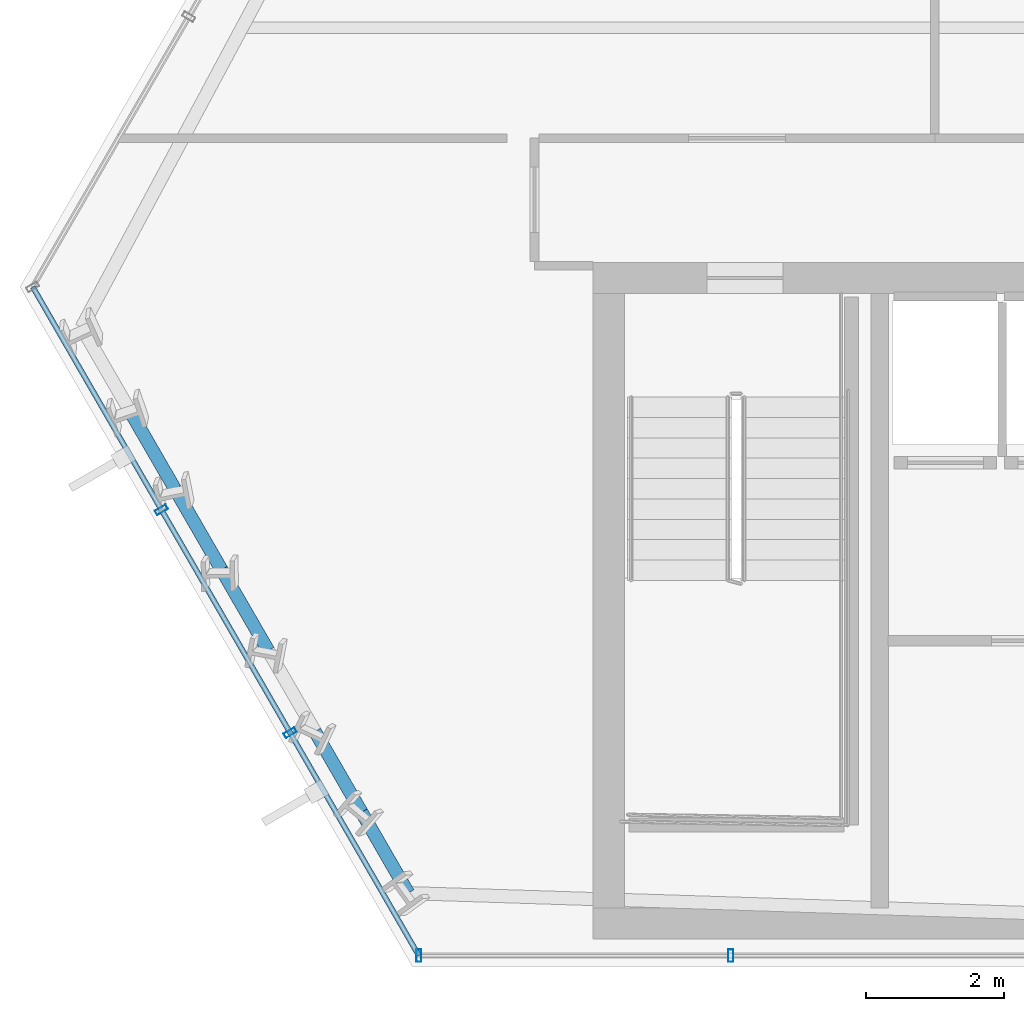
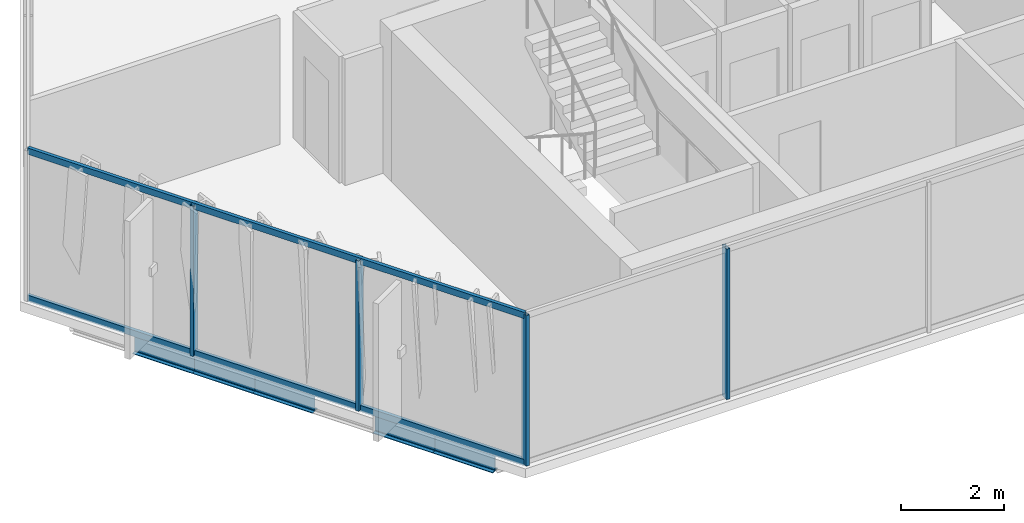
# One storey, part 2 of 32: 6 members, 5 beams, 2 elements without a shape of their own.
"""IFC4 building model written with IfcOpenShell, lengths in metres."""

import ifcopenshell
import ifcopenshell.guid

model = None  # the IFC model being written
_history = None  # IfcOwnerHistory: only IFC2X3 demands one
_inside = {}  # id of a spatial element -> (the spatial element, [elements in it])
_under = {}  # id of a project, library or spatial element -> (it, [spatial elements below it])
_declared = {}  # id of a project -> (the project, [libraries it declares])
_typed = {}  # id of a type object -> (the type object, [elements of that type])
_made_of = {}  # id of a material, layer set ... -> (it, [elements and type objects made of it])


def new_model(schema):
    """Start an empty IFC model of exactly this schema.

    Asked for "IFC4X3", IfcOpenShell would pick the latest addendum, in which some entities
    have other attributes; the version numbers below select the first issue.
    IFC2X3 requires an IfcOwnerHistory on every rooted entity: one is made here for all.
    """
    global model, _history
    if schema == "IFC4X3":
        model = ifcopenshell.file(schema_version=(4, 3, 0, 0))
    else:
        model = ifcopenshell.file(schema=schema)
    _inside.clear()
    _under.clear()
    _declared.clear()
    _typed.clear()
    _made_of.clear()
    _history = None
    if model.schema == "IFC2X3":
        org = make("IfcOrganization", Name="unknown")
        user = make(
            "IfcPersonAndOrganization",
            ThePerson=make("IfcPerson", FamilyName="unknown"),
            TheOrganization=org,
        )
        app = make(
            "IfcApplication",
            ApplicationDeveloper=org,
            Version="unknown",
            ApplicationFullName="unknown",
            ApplicationIdentifier="unknown",
        )
        _history = make(
            "IfcOwnerHistory",
            OwningUser=user,
            OwningApplication=app,
            ChangeAction="ADDED",
            CreationDate=0,
        )
    return model


def make(cls, **values):
    """One entity of the class cls with the attributes given. An attribute that is None is left unset."""
    return model.create_entity(
        cls, **{name: value for name, value in values.items() if value is not None}
    )


def rooted(cls, **values):
    """An entity with a GlobalId (a new one), such as an element, a storey or a relation."""
    return make(cls, GlobalId=ifcopenshell.guid.new(), OwnerHistory=_history, **values)


def si_unit(unit_type, name, prefix=None):
    """IfcSIUnit, for example si_unit("LENGTHUNIT", "METRE", prefix="MILLI")."""
    return make("IfcSIUnit", UnitType=unit_type, Prefix=prefix, Name=name)


def assignment(units):
    """IfcUnitAssignment: the units of a project."""
    return None if units is None else make("IfcUnitAssignment", Units=units)


def point(xyz):
    """IfcCartesianPoint."""
    return None if xyz is None else make("IfcCartesianPoint", Coordinates=xyz)


def direction(xyz):
    """IfcDirection."""
    return None if xyz is None else make("IfcDirection", DirectionRatios=xyz)


def frame(location, z_axis=None, x_axis=None):
    """IfcAxis2Placement3D, a coordinate frame: its origin and axes. An axis left out is left unset."""
    return make(
        "IfcAxis2Placement3D",
        Location=point(location),
        Axis=direction(z_axis),
        RefDirection=direction(x_axis),
    )


def frame_2d(location, x_axis=None):
    """IfcAxis2Placement2D, a coordinate frame in the plane: its origin and x axis."""
    return make(
        "IfcAxis2Placement2D", Location=point(location), RefDirection=direction(x_axis)
    )


def origin():
    """The frame at (0, 0, 0) with its axes left unset."""
    return frame((0.0, 0.0, 0.0))


def origin_2d():
    """The frame at (0, 0) in the plane with its x axis left unset."""
    return frame_2d((0.0, 0.0))


def place(relative_to, where):
    """IfcLocalPlacement: puts the frame where relative to a parent placement (None: the world)."""
    return make(
        "IfcLocalPlacement", PlacementRelTo=relative_to, RelativePlacement=where
    )


def context(
    kind, dimensions, precision=None, world=None, true_north=None, identifier=None
):
    """IfcGeometricRepresentationContext, for example the 3D "Model" context."""
    return make(
        "IfcGeometricRepresentationContext",
        ContextIdentifier=identifier,
        ContextType=kind,
        CoordinateSpaceDimension=dimensions,
        Precision=precision,
        WorldCoordinateSystem=world,
        TrueNorth=true_north,
    )


def subcontext(parent, identifier, kind, view, scale=None):
    """IfcGeometricRepresentationSubContext, for example "Body" below "Model"."""
    return make(
        "IfcGeometricRepresentationSubContext",
        ContextIdentifier=identifier,
        ContextType=kind,
        ParentContext=parent,
        TargetScale=scale,
        TargetView=view,
    )


def project(units=None, contexts=None):
    """IfcProject with its units and contexts."""
    return rooted(
        "IfcProject",
        Name="project",
        RepresentationContexts=contexts,
        UnitsInContext=assignment(units),
    )


def spatial(cls, under=None, at=None, **own):
    """A site, building, storey or space (cls), placed at a placement, below another one or the project."""
    s = rooted(cls, ObjectPlacement=at, **own)
    if under is not None:
        _under.setdefault(under.id(), (under, []))[1].append(s)
    return s


def profile(cls, at=None, kind="AREA", **sizes):
    """A parametric profile (cls). Its sizes go by their IFC names, for example OverallWidth=200.0."""
    return make(cls, ProfileType=kind, Position=at, **sizes)


def hollow_rectangle(**sizes):
    """IfcRectangleHollowProfileDef."""
    return profile("IfcRectangleHollowProfileDef", **sizes)


def i_section(**sizes):
    """IfcIShapeProfileDef."""
    return profile("IfcIShapeProfileDef", **sizes)


def extrude(swept, where, along, depth):
    """IfcExtrudedAreaSolid: the profile swept, set in the frame where, extruded along a direction by depth."""
    return make(
        "IfcExtrudedAreaSolid",
        SweptArea=swept,
        Position=where,
        ExtrudedDirection=direction(along),
        Depth=depth,
    )


def shape(context_of_items, identifier, shape_type, items):
    """IfcShapeRepresentation: the items that make up one representation, for example the "Body"."""
    return make(
        "IfcShapeRepresentation",
        ContextOfItems=context_of_items,
        RepresentationIdentifier=identifier,
        RepresentationType=shape_type,
        Items=items,
    )


def material(Name=None, Category=None):
    """IfcMaterial."""
    return make("IfcMaterial", Name=Name, Category=Category)


def layer(
    of_material, thickness, ventilated=None, Name=None, Category=None, Priority=None
):
    """IfcMaterialLayer: one layer of a wall or slab, of a material (None: an air gap)."""
    return make(
        "IfcMaterialLayer",
        Material=of_material,
        LayerThickness=thickness,
        IsVentilated=ventilated,
        Name=Name,
        Category=Category,
        Priority=Priority,
    )


def layer_set(layers, Name=None):
    """IfcMaterialLayerSet."""
    return make("IfcMaterialLayerSet", MaterialLayers=layers, LayerSetName=Name)


def material_profile(
    of_material, cross_section, Name=None, Category=None, Priority=None
):
    """IfcMaterialProfile: a cross section and its material."""
    return make(
        "IfcMaterialProfile",
        Name=Name,
        Material=of_material,
        Profile=cross_section,
        Priority=Priority,
        Category=Category,
    )


def profile_set(profiles, Name=None, composite=None):
    """IfcMaterialProfileSet."""
    return make(
        "IfcMaterialProfileSet",
        Name=Name,
        MaterialProfiles=profiles,
        CompositeProfile=composite,
    )


def made_of(thing, what):
    """Note that an element or type object is made of a material, layer set ...; save() writes the relation."""
    if what is not None:
        _made_of.setdefault(what.id(), (what, []))[1].append(thing)
    return thing


def type_object(cls, material=None, **own):
    """A type object (cls), such as IfcWallType, which elements share."""
    return made_of(rooted(cls, **own), material)


def element(
    cls,
    number,
    at=None,
    inside=None,
    cuts=None,
    type_object=None,
    material=None,
    context=None,
    identifier="Body",
    shape_type=None,
    held_by="IfcProductDefinitionShape",
    body=None,
    shapes=None,
    **own,
):
    """One element of the class cls, such as IfcWall. Its Tag is "e" and its number.

    at: its placement. inside: the storey or other place that contains it. cuts: it is an
    opening in that element (IfcRelVoidsElement). A single representation is given by context,
    identifier, shape_type and body (its items); several are given by shapes. held_by: the class
    of the entity that holds the representations. save() writes the other relations.
    """
    e = rooted(cls, Tag="e%d" % number, ObjectPlacement=at, **own)
    if body is not None:
        shapes = [shape(context, identifier, shape_type, body)]
    if shapes is not None:
        e.Representation = make(held_by, Representations=shapes)
    if inside is not None:
        _inside.setdefault(inside.id(), (inside, []))[1].append(e)
    if cuts is not None:
        rooted(
            "IfcRelVoidsElement", RelatingBuildingElement=cuts, RelatedOpeningElement=e
        )
    if type_object is not None:
        _typed.setdefault(type_object.id(), (type_object, []))[1].append(e)
    return made_of(e, material)


def aggregate(whole, parts):
    """IfcRelAggregates: a whole, such as a stair, and the parts it consists of."""
    return rooted("IfcRelAggregates", RelatingObject=whole, RelatedObjects=parts)


def save(model, path):
    """Write the relations noted so far, then the file.

    IfcRelAggregates (storeys below a building ...), IfcRelContainedInSpatialStructure (elements
    in a storey), IfcRelDefinesByType, IfcRelAssociatesMaterial and IfcRelDeclares: one each for
    every whole, place, type object, material and project.
    """
    for whole, parts in _under.values():
        aggregate(whole, parts)
    for where, things in _inside.values():
        rooted(
            "IfcRelContainedInSpatialStructure",
            RelatedElements=things,
            RelatingStructure=where,
        )
    for kind, things in _typed.values():
        rooted("IfcRelDefinesByType", RelatedObjects=things, RelatingType=kind)
    for what, things in _made_of.values():
        rooted("IfcRelAssociatesMaterial", RelatedObjects=things, RelatingMaterial=what)
    for by, libraries in _declared.values():
        rooted("IfcRelDeclares", RelatingContext=by, RelatedDefinitions=libraries)
    model.write(path)


model = new_model("IFC4")

# Units and contexts
model_context = context("Model", 3, precision=1e-05, world=origin(), true_north=direction((0.0, 1.0)))
body_context = subcontext(model_context, "Body", "Model", "MODEL_VIEW")
ifc_project = project(units=[si_unit("LENGTHUNIT", "METRE"), si_unit("AREAUNIT", "SQUARE_METRE"), si_unit("VOLUMEUNIT", "CUBIC_METRE"), si_unit("PLANEANGLEUNIT", "RADIAN"), si_unit("MASSUNIT", "GRAM", prefix="KILO")], contexts=[model_context])

# Site, building, storey
site_placement = place(None, origin())
site = spatial("IfcSite", under=ifc_project, at=site_placement, CompositionType="ELEMENT")
building_placement = place(site_placement, origin())
building = spatial("IfcBuilding", under=site, at=building_placement, Name="Ndaravel Arena Tower", CompositionType="ELEMENT")
storey_placement = place(building_placement, frame((0.0, 0.0, 157.39990234375)))
storey = spatial("IfcBuildingStorey", under=building, at=storey_placement, Name="L37", CompositionType="ELEMENT", Elevation=157.39990234375)

# Beams
ifc_material_1 = material(Name="Steel S355", Category="steel")
ifc_material_profile_1 = material_profile(ifc_material_1, i_section(OverallWidth=0.18994140625, OverallDepth=0.449951171875, WebThickness=0.009521484375, FlangeThickness=0.0146484375, FilletRadius=0.02099609375, at=origin_2d()), Name="IPE 450")
ifc_profile_set_1 = profile_set([ifc_material_profile_1], Name="Steel S355")
beam_type = type_object("IfcBeamType", Name="BM-SPAN-IPE450", PredefinedType="SPANDREL", material=ifc_profile_set_1)
for number, where, z_axis, x_axis, name in (
    (1, (19.715576171875, 13.08935546875, -0.44482421875), (0.500082007311, -0.865978051664, 0.0), (0.865978051664, 0.500082007311, 0.0), "L37 Perimeter Spandrel Beam SP-21"),
    (2, (20.3916015625, 11.918701171875, -0.44482421875), (0.49994655361, -0.866056258873, 0.0), (0.866056258873, 0.49994655361, 0.0), "L37 Perimeter Spandrel Beam SP-22"),
    (3, (21.0673828125, 10.748046875, -0.44482421875), (0.500082007311, -0.865978051664, 0.0), (0.865978051664, 0.500082007311, 0.0), "L37 Perimeter Spandrel Beam SP-23"),
    (4, (22.419189453125, 8.40673828125, -0.44482421875), (0.500082007311, -0.865978051664, 0.0), (0.865978051664, 0.500082007311, 0.0), "L37 Perimeter Spandrel Beam SP-25"),
    (5, (23.09521484375, 7.236083984375, -0.44482421875), (0.499868360126, -0.866101392762, 0.0), (0.866101392762, 0.499868360126, 0.0), "L37 Perimeter Spandrel Beam SP-26"),
):
    element("IfcBeam", number, at=place(storey_placement, frame(where, z_axis=z_axis, x_axis=x_axis)), inside=storey, type_object=beam_type, Name=name, PredefinedType="SPANDREL", context=body_context, shape_type="SweptSolid", body=[
        extrude(i_section(OverallWidth=0.18994140625, OverallDepth=0.449951171875, WebThickness=0.009521484375, FlangeThickness=0.0146484375, FilletRadius=0.02099609375, at=origin_2d()), origin(), (0.0, 0.0, 1.0), 1.351806640625),
    ])

# Curtain wall, members
ifc_material_2 = material(Name="Aluminium", Category="aluminium")
ifc_layer_1 = layer(ifc_material_2, 0.179931640625)
ifc_layer_set_1 = layer_set([ifc_layer_1], Name="Aluminium")
curtain_wall_type_1 = type_object("IfcCurtainWallType", Name="CW-SYS-03", PredefinedType="NOTDEFINED", material=ifc_layer_set_1)
curtain_wall_1_placement = place(storey_placement, origin())
curtain_wall_1 = element("IfcCurtainWall", 6, at=curtain_wall_1_placement, inside=storey, type_object=curtain_wall_type_1, Name="L37 Faceted Crystal Curtain Wall CW-L37-E01", PredefinedType="NOTDEFINED")
ifc_material_3 = material(Name="Aluminium", Category="aluminium")
ifc_material_profile_2 = material_profile(ifc_material_3, hollow_rectangle(XDim=0.074951171875, YDim=0.179931640625, WallThickness=0.00390625, at=origin_2d()), Name="CW MULLION 75x180x4")
ifc_profile_set_2 = profile_set([ifc_material_profile_2], Name="Aluminium")
member_type_1 = type_object("IfcMemberType", Name="MEM-CW-MUL180", PredefinedType="MULLION", material=ifc_profile_set_2)
member_1_placement = place(storey_placement, frame((23.92431640625, 5.159912109375, 0.0), z_axis=(0.0, 0.0, 1.0), x_axis=(1.0, 0.0, 0.0)))
member_1 = element("IfcMember", 7, at=member_1_placement, type_object=member_type_1, Name="CW-L37-E01 Mullion 00", PredefinedType="MULLION", context=body_context, shape_type="SweptSolid", body=[
    extrude(hollow_rectangle(XDim=0.074951171875, YDim=0.179931640625, WallThickness=0.00390625, at=origin_2d()), origin(), (0.0, 0.0, 1.0), 3.580078125),
])
member_2_placement = place(storey_placement, frame((28.443115234375, 5.159912109375, 0.0), z_axis=(0.0, 0.0, 1.0), x_axis=(1.0, 0.0, 0.0)))
member_2 = element("IfcMember", 8, at=member_2_placement, type_object=member_type_1, Name="CW-L37-E01 Mullion 01", PredefinedType="MULLION", context=body_context, shape_type="SweptSolid", body=[
    extrude(hollow_rectangle(XDim=0.074951171875, YDim=0.179931640625, WallThickness=0.00390625, at=origin_2d()), origin(), (0.0, 0.0, 1.0), 3.580078125),
])
aggregate(curtain_wall_1, [member_1, member_2])

ifc_material_4 = material(Name="Aluminium", Category="aluminium")
ifc_layer_2 = layer(ifc_material_4, 0.179931640625)
ifc_layer_set_2 = layer_set([ifc_layer_2], Name="Aluminium")
curtain_wall_type_2 = type_object("IfcCurtainWallType", Name="CW-SYS-02", PredefinedType="NOTDEFINED", material=ifc_layer_set_2)
curtain_wall_2_placement = place(storey_placement, origin())
curtain_wall_2 = element("IfcCurtainWall", 9, at=curtain_wall_2_placement, inside=storey, type_object=curtain_wall_type_2, Name="L37 Faceted Crystal Curtain Wall CW-L37-E06", PredefinedType="NOTDEFINED")
member_3_placement = place(storey_placement, frame((20.1962890625, 11.616943359375, 0.0), z_axis=(0.0, 0.0, 1.0), x_axis=(0.5, -0.866025403784, 0.0)))
member_3 = element("IfcMember", 10, at=member_3_placement, type_object=member_type_1, Name="CW-L37-E06 Mullion 01", PredefinedType="MULLION", context=body_context, shape_type="SweptSolid", body=[
    extrude(hollow_rectangle(XDim=0.074951171875, YDim=0.179931640625, WallThickness=0.00390625, at=origin_2d()), origin(), (0.0, 0.0, 1.0), 3.580078125),
])
member_4_placement = place(storey_placement, frame((22.060302734375, 8.388427734375, 0.0), z_axis=(0.0, 0.0, 1.0), x_axis=(0.5, -0.866025403784, 0.0)))
member_4 = element("IfcMember", 11, at=member_4_placement, type_object=member_type_1, Name="CW-L37-E06 Mullion 02", PredefinedType="MULLION", context=body_context, shape_type="SweptSolid", body=[
    extrude(hollow_rectangle(XDim=0.074951171875, YDim=0.179931640625, WallThickness=0.00390625, at=origin_2d()), origin(), (0.0, 0.0, 1.0), 3.580078125),
])
ifc_material_5 = material(Name="Aluminium", Category="aluminium")
ifc_material_profile_3 = material_profile(ifc_material_5, hollow_rectangle(XDim=0.074951171875, YDim=0.14990234375, WallThickness=0.00390625, at=origin_2d()), Name="CW TRANSOM 75x150x4")
ifc_profile_set_3 = profile_set([ifc_material_profile_3], Name="Aluminium")
member_type_2 = type_object("IfcMemberType", Name="MEM-CW-TRN150", PredefinedType="USERDEFINED", material=ifc_profile_set_3)
member_5_placement = place(storey_placement, frame((18.332275390625, 14.845458984375, 0.0400390625), z_axis=(0.500005895944, -0.866021999733, 0.0), x_axis=(0.866021999733, 0.500005895944, 0.0)))
member_5 = element("IfcMember", 12, at=member_5_placement, type_object=member_type_2, Name="CW-L37-E06 Transom 01", ObjectType="TRANSOM", PredefinedType="USERDEFINED", context=body_context, shape_type="SweptSolid", body=[
    extrude(hollow_rectangle(XDim=0.074951171875, YDim=0.14990234375, WallThickness=0.00390625, at=origin_2d()), origin(), (0.0, 0.0, 1.0), 11.183837890625),
])
member_6_placement = place(storey_placement, frame((18.332275390625, 14.845458984375, 3.5400390625), z_axis=(0.500005895944, -0.866021999733, 0.0), x_axis=(0.866021999733, 0.500005895944, 0.0)))
member_6 = element("IfcMember", 13, at=member_6_placement, type_object=member_type_2, Name="CW-L37-E06 Transom 02", ObjectType="TRANSOM", PredefinedType="USERDEFINED", context=body_context, shape_type="SweptSolid", body=[
    extrude(hollow_rectangle(XDim=0.074951171875, YDim=0.14990234375, WallThickness=0.00390625, at=origin_2d()), origin(), (0.0, 0.0, 1.0), 11.183837890625),
])
aggregate(curtain_wall_2, [member_3, member_4, member_5, member_6])

save(model, "model.ifc")
